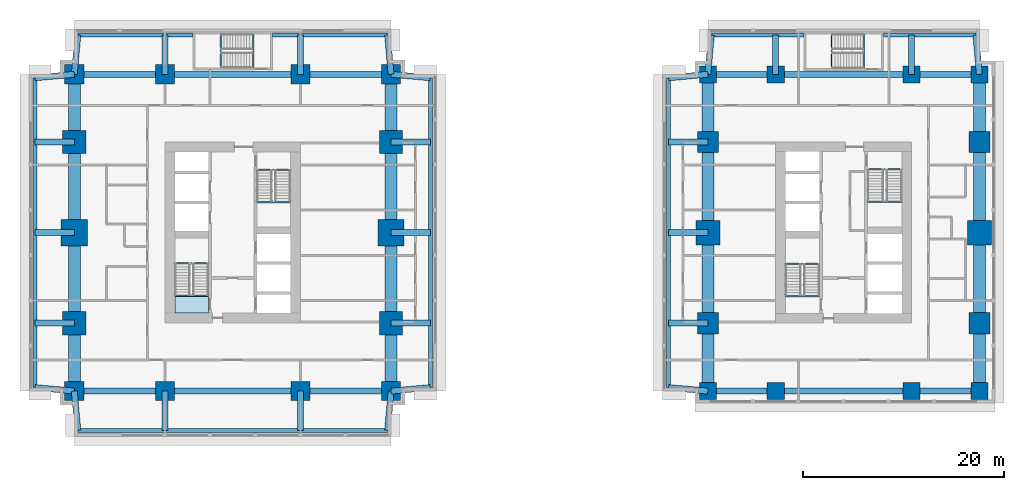
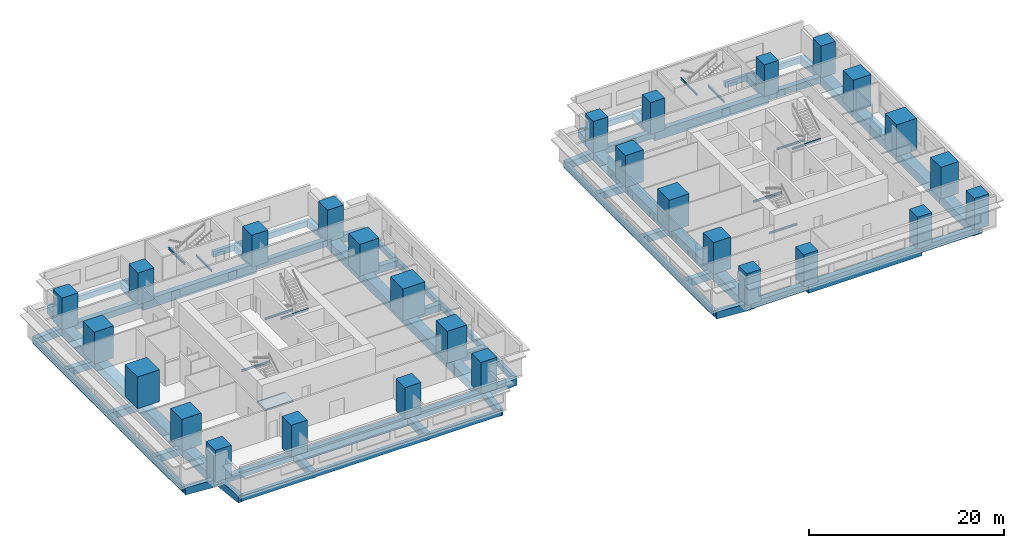
# One storey, part 1 of 11: 75 beams, 28 columns, 1 slab, 1 element without a shape of its own.
"""IFC4 building model written with IfcOpenShell, lengths in metres."""

from ifc_helpers import new_model, si_unit, direction, frame, origin, origin_2d, place, context, subcontext, project, spatial, polyline, rectangle, i_section, outline, extrude, material, layer, layer_set, material_profile, profile_set, type_object, element, aggregate, save


model = new_model("IFC4")

# Units and contexts
model_context = context("Model", 3, precision=1e-05, world=origin(), true_north=direction((0.0, 1.0)))
body_context = subcontext(model_context, "Body", "Model", "MODEL_VIEW")
ifc_project = project(units=[si_unit("LENGTHUNIT", "METRE"), si_unit("AREAUNIT", "SQUARE_METRE"), si_unit("VOLUMEUNIT", "CUBIC_METRE"), si_unit("PLANEANGLEUNIT", "RADIAN"), si_unit("MASSUNIT", "GRAM", prefix="KILO")], contexts=[model_context])

# Site, building, storey
site_placement = place(None, origin())
site = spatial("IfcSite", under=ifc_project, at=site_placement, CompositionType="ELEMENT")
building_placement = place(site_placement, origin())
building = spatial("IfcBuilding", under=site, at=building_placement, Name="Namib Vertical Campus", CompositionType="ELEMENT")
storey_placement = place(building_placement, frame((0.0, 0.0, 85.0)))
storey = spatial("IfcBuildingStorey", under=building, at=storey_placement, Name="L19", CompositionType="ELEMENT", Elevation=85.0)

# Columns
ifc_material_1 = material(Name="Concrete C60/75", Category="concrete")
ifc_material_profile_1 = material_profile(ifc_material_1, rectangle(XDim=1.699951171875, YDim=1.699951171875, at=origin_2d()))
ifc_profile_set_1 = profile_set([ifc_material_profile_1], Name="Concrete C60/75")
column_type_1 = type_object("IfcColumnType", Name="Column RC 1700x1700", PredefinedType="COLUMN", material=ifc_profile_set_1)
for number, where, z_axis, x_axis, name in (
    (1, (67.5, 4.5, 0.0), (0.0, 0.0, 1.0), (1.0, 0.0, 0.0), "Column C170 L19"),
    (2, (74.25, 4.5, 0.0), (0.0, 0.0, 1.0), (1.0, 0.0, 0.0), "Column C170 L19"),
    (3, (87.75, 4.5, 0.0), (0.0, 0.0, 1.0), (1.0, 0.0, 0.0), "Column C170 L19"),
    (4, (94.5, 4.5, 0.0), (0.0, 0.0, 1.0), (1.0, 0.0, 0.0), "Column C170 L19"),
    (5, (67.5, 36.0, 0.0), (0.0, 0.0, 1.0), (1.0, 0.0, 0.0), "Column C170 L19"),
    (6, (74.25, 36.0, 0.0), (0.0, 0.0, 1.0), (1.0, 0.0, 0.0), "Column C170 L19"),
    (7, (87.75, 36.0, 0.0), (0.0, 0.0, 1.0), (1.0, 0.0, 0.0), "Column C170 L19"),
    (8, (94.5, 36.0, 0.0), (0.0, 0.0, 1.0), (1.0, 0.0, 0.0), "Column C170 L19"),
):
    element("IfcColumn", number, at=place(storey_placement, frame(where, z_axis=z_axis, x_axis=x_axis)), inside=storey, type_object=column_type_1, Name=name, PredefinedType="COLUMN", context=body_context, shape_type="SweptSolid", body=[
        extrude(rectangle(XDim=1.699951171875, YDim=1.699951171875, at=origin_2d()), origin(), (0.0, 0.0, 1.0), 4.0),
    ])
ifc_material_2 = material(Name="Concrete C60/75", Category="concrete")
ifc_material_profile_2 = material_profile(ifc_material_2, rectangle(XDim=1.89990234375, YDim=1.89990234375, at=origin_2d()))
ifc_profile_set_2 = profile_set([ifc_material_profile_2], Name="Concrete C60/75")
column_type_2 = type_object("IfcColumnType", Name="Column RC 1900x1900", PredefinedType="COLUMN", material=ifc_profile_set_2)
for number, where, z_axis, x_axis, name in (
    (9, (4.5, 4.5, 0.0), (0.0, 0.0, 1.0), (1.0, 0.0, 0.0), "Column C190 L19"),
    (10, (13.5, 4.5, 0.0), (0.0, 0.0, 1.0), (1.0, 0.0, 0.0), "Column C190 L19"),
    (11, (27.0, 4.5, 0.0), (0.0, 0.0, 1.0), (1.0, 0.0, 0.0), "Column C190 L19"),
    (12, (36.0, 4.5, 0.0), (0.0, 0.0, 1.0), (1.0, 0.0, 0.0), "Column C190 L19"),
    (13, (4.5, 36.0, 0.0), (0.0, 0.0, 1.0), (1.0, 0.0, 0.0), "Column C190 L19"),
    (14, (13.5, 36.0, 0.0), (0.0, 0.0, 1.0), (1.0, 0.0, 0.0), "Column C190 L19"),
    (15, (27.0, 36.0, 0.0), (0.0, 0.0, 1.0), (1.0, 0.0, 0.0), "Column C190 L19"),
    (16, (36.0, 36.0, 0.0), (0.0, 0.0, 1.0), (1.0, 0.0, 0.0), "Column C190 L19"),
):
    element("IfcColumn", number, at=place(storey_placement, frame(where, z_axis=z_axis, x_axis=x_axis)), inside=storey, type_object=column_type_2, Name=name, PredefinedType="COLUMN", context=body_context, shape_type="SweptSolid", body=[
        extrude(rectangle(XDim=1.89990234375, YDim=1.89990234375, at=origin_2d()), origin(), (0.0, 0.0, 1.0), 4.0),
    ])
ifc_material_3 = material(Name="Concrete C60/75", Category="concrete")
ifc_material_profile_3 = material_profile(ifc_material_3, rectangle(XDim=2.10009765625, YDim=2.10009765625, at=origin_2d()))
ifc_profile_set_3 = profile_set([ifc_material_profile_3], Name="Concrete C60/75")
column_type_3 = type_object("IfcColumnType", Name="Column RC 2100x2100", PredefinedType="COLUMN", material=ifc_profile_set_3)
for number, where, z_axis, x_axis, name in (
    (17, (67.5, 11.25, 0.0), (0.0, 0.0, 1.0), (1.0, 0.0, 0.0), "Column C210 L19"),
    (18, (94.5, 11.25, 0.0), (0.0, 0.0, 1.0), (1.0, 0.0, 0.0), "Column C210 L19"),
    (19, (67.5, 29.25, 0.0), (0.0, 0.0, 1.0), (1.0, 0.0, 0.0), "Column C210 L19"),
    (20, (94.5, 29.25, 0.0), (0.0, 0.0, 1.0), (1.0, 0.0, 0.0), "Column C210 L19"),
):
    element("IfcColumn", number, at=place(storey_placement, frame(where, z_axis=z_axis, x_axis=x_axis)), inside=storey, type_object=column_type_3, Name=name, PredefinedType="COLUMN", context=body_context, shape_type="SweptSolid", body=[
        extrude(rectangle(XDim=2.10009765625, YDim=2.10009765625, at=origin_2d()), origin(), (0.0, 0.0, 1.0), 4.0),
    ])
ifc_material_4 = material(Name="Concrete C60/75", Category="concrete")
ifc_material_profile_4 = material_profile(ifc_material_4, rectangle(XDim=2.300048828125, YDim=2.300048828125, at=origin_2d()))
ifc_profile_set_4 = profile_set([ifc_material_profile_4], Name="Concrete C60/75")
column_type_4 = type_object("IfcColumnType", Name="Column RC 2300x2300", PredefinedType="COLUMN", material=ifc_profile_set_4)
for number, where, z_axis, x_axis, name in (
    (21, (4.5, 11.25, 0.0), (0.0, 0.0, 1.0), (1.0, 0.0, 0.0), "Column C230 L19"),
    (22, (36.0, 11.25, 0.0), (0.0, 0.0, 1.0), (1.0, 0.0, 0.0), "Column C230 L19"),
    (23, (4.5, 29.25, 0.0), (0.0, 0.0, 1.0), (1.0, 0.0, 0.0), "Column C230 L19"),
    (24, (36.0, 29.25, 0.0), (0.0, 0.0, 1.0), (1.0, 0.0, 0.0), "Column C230 L19"),
):
    element("IfcColumn", number, at=place(storey_placement, frame(where, z_axis=z_axis, x_axis=x_axis)), inside=storey, type_object=column_type_4, Name=name, PredefinedType="COLUMN", context=body_context, shape_type="SweptSolid", body=[
        extrude(rectangle(XDim=2.300048828125, YDim=2.300048828125, at=origin_2d()), origin(), (0.0, 0.0, 1.0), 4.0),
    ])
ifc_material_5 = material(Name="Concrete C60/75", Category="concrete")
ifc_material_profile_5 = material_profile(ifc_material_5, rectangle(XDim=2.39990234375, YDim=2.39990234375, at=origin_2d()))
ifc_profile_set_5 = profile_set([ifc_material_profile_5], Name="Concrete C60/75")
column_type_5 = type_object("IfcColumnType", Name="Column RC 2400x2400", PredefinedType="COLUMN", material=ifc_profile_set_5)
for number, where, z_axis, x_axis, name in (
    (25, (67.5, 20.25, 0.0), (0.0, 0.0, 1.0), (1.0, 0.0, 0.0), "Column C240 L19"),
    (26, (94.5, 20.25, 0.0), (0.0, 0.0, 1.0), (1.0, 0.0, 0.0), "Column C240 L19"),
):
    element("IfcColumn", number, at=place(storey_placement, frame(where, z_axis=z_axis, x_axis=x_axis)), inside=storey, type_object=column_type_5, Name=name, PredefinedType="COLUMN", context=body_context, shape_type="SweptSolid", body=[
        extrude(rectangle(XDim=2.39990234375, YDim=2.39990234375, at=origin_2d()), origin(), (0.0, 0.0, 1.0), 4.0),
    ])
ifc_material_6 = material(Name="Concrete C60/75", Category="concrete")
ifc_material_profile_6 = material_profile(ifc_material_6, rectangle(XDim=2.60009765625, YDim=2.60009765625, at=origin_2d()))
ifc_profile_set_6 = profile_set([ifc_material_profile_6], Name="Concrete C60/75")
column_type_6 = type_object("IfcColumnType", Name="Column RC 2600x2600", PredefinedType="COLUMN", material=ifc_profile_set_6)
for number, where, z_axis, x_axis, name in (
    (27, (4.5, 20.25, 0.0), (0.0, 0.0, 1.0), (1.0, 0.0, 0.0), "Column C260 L19"),
    (28, (36.0, 20.25, 0.0), (0.0, 0.0, 1.0), (1.0, 0.0, 0.0), "Column C260 L19"),
):
    element("IfcColumn", number, at=place(storey_placement, frame(where, z_axis=z_axis, x_axis=x_axis)), inside=storey, type_object=column_type_6, Name=name, PredefinedType="COLUMN", context=body_context, shape_type="SweptSolid", body=[
        extrude(rectangle(XDim=2.60009765625, YDim=2.60009765625, at=origin_2d()), origin(), (0.0, 0.0, 1.0), 4.0),
    ])

# Beams
ifc_material_7 = material(Name="Concrete C40/50", Category="concrete")
ifc_material_profile_7 = material_profile(ifc_material_7, rectangle(XDim=0.60009765625, YDim=0.89990234375, at=origin_2d()))
ifc_profile_set_7 = profile_set([ifc_material_profile_7], Name="Concrete C40/50")
beam_type_1 = type_object("IfcBeamType", Name="Cantilever girder RC 600x900", PredefinedType="BEAM", material=ifc_profile_set_7)
beam_1_placement = place(storey_placement, frame((4.5, 4.5, -0.699951171875), z_axis=(0.089411326146, -0.995994786511, 0.0), x_axis=(0.995994786511, 0.089411326146, 0.0)))
element("IfcBeam", 29, at=beam_1_placement, inside=storey, type_object=beam_type_1, Name="Beam B3 L19", PredefinedType="BEAM", context=body_context, shape_type="SweptSolid", body=[
    extrude(rectangle(XDim=0.60009765625, YDim=0.89990234375, at=origin_2d()), origin(), (0.0, 0.0, 1.0), 3.91552734375),
])
for number, where, z_axis, x_axis, name in (
    (30, (13.5, 4.5, -0.699951171875), (0.0, -1.0, 0.0), (1.0, 0.0, 0.0), "Beam B3 L19"),
    (31, (27.0, 4.5, -0.699951171875), (0.0, -1.0, 0.0), (1.0, 0.0, 0.0), "Beam B3 L19"),
):
    element("IfcBeam", number, at=place(storey_placement, frame(where, z_axis=z_axis, x_axis=x_axis)), inside=storey, type_object=beam_type_1, Name=name, PredefinedType="BEAM", context=body_context, shape_type="SweptSolid", body=[
        extrude(rectangle(XDim=0.60009765625, YDim=0.89990234375, at=origin_2d()), origin(), (0.0, 0.0, 1.0), 3.89990234375),
    ])
for number, where, z_axis, x_axis, name in (
    (32, (36.0, 4.5, -0.699951171875), (-0.089411326146, -0.995994786511, 0.0), (0.995994786511, -0.089411326146, 0.0), "Beam B3 L19"),
    (33, (4.5, 36.0, -0.699951171875), (0.089411326146, 0.995994786511, 0.0), (-0.995994786511, 0.089411326146, 0.0), "Beam B3 L19"),
):
    element("IfcBeam", number, at=place(storey_placement, frame(where, z_axis=z_axis, x_axis=x_axis)), inside=storey, type_object=beam_type_1, Name=name, PredefinedType="BEAM", context=body_context, shape_type="SweptSolid", body=[
        extrude(rectangle(XDim=0.60009765625, YDim=0.89990234375, at=origin_2d()), origin(), (0.0, 0.0, 1.0), 3.91552734375),
    ])
for number, where, z_axis, x_axis, name in (
    (34, (13.5, 36.0, -0.699951171875), (0.0, 1.0, 0.0), (-1.0, 0.0, 0.0), "Beam B3 L19"),
    (35, (27.0, 36.0, -0.699951171875), (0.0, 1.0, 0.0), (-1.0, 0.0, 0.0), "Beam B3 L19"),
):
    element("IfcBeam", number, at=place(storey_placement, frame(where, z_axis=z_axis, x_axis=x_axis)), inside=storey, type_object=beam_type_1, Name=name, PredefinedType="BEAM", context=body_context, shape_type="SweptSolid", body=[
        extrude(rectangle(XDim=0.60009765625, YDim=0.89990234375, at=origin_2d()), origin(), (0.0, 0.0, 1.0), 3.89990234375),
    ])
for number, where, z_axis, x_axis, name in (
    (36, (36.0, 36.0, -0.699951171875), (-0.089411326146, 0.995994786511, 0.0), (-0.995994786511, -0.089411326146, 0.0), "Beam B3 L19"),
    (37, (4.5, 4.5, -0.699951171875), (-0.995994786511, 0.089411326146, 0.0), (-0.089411326146, -0.995994786511, 0.0), "Beam B3 L19"),
):
    element("IfcBeam", number, at=place(storey_placement, frame(where, z_axis=z_axis, x_axis=x_axis)), inside=storey, type_object=beam_type_1, Name=name, PredefinedType="BEAM", context=body_context, shape_type="SweptSolid", body=[
        extrude(rectangle(XDim=0.60009765625, YDim=0.89990234375, at=origin_2d()), origin(), (0.0, 0.0, 1.0), 3.91552734375),
    ])
for number, where, z_axis, x_axis, name in (
    (38, (4.5, 11.25, -0.699951171875), (-1.0, 0.0, 0.0), (0.0, -1.0, 0.0), "Beam B3 L19"),
    (39, (4.5, 20.25, -0.699951171875), (-1.0, 0.0, 0.0), (0.0, -1.0, 0.0), "Beam B3 L19"),
    (40, (4.5, 29.25, -0.699951171875), (-1.0, 0.0, 0.0), (0.0, -1.0, 0.0), "Beam B3 L19"),
):
    element("IfcBeam", number, at=place(storey_placement, frame(where, z_axis=z_axis, x_axis=x_axis)), inside=storey, type_object=beam_type_1, Name=name, PredefinedType="BEAM", context=body_context, shape_type="SweptSolid", body=[
        extrude(rectangle(XDim=0.60009765625, YDim=0.89990234375, at=origin_2d()), origin(), (0.0, 0.0, 1.0), 3.89990234375),
    ])
for number, where, z_axis, x_axis, name in (
    (41, (4.5, 36.0, -0.699951171875), (-0.995994786511, -0.089411326146, 0.0), (0.089411326146, -0.995994786511, 0.0), "Beam B3 L19"),
    (42, (36.0, 4.5, -0.699951171875), (0.995994786511, 0.089411326146, 0.0), (-0.089411326146, 0.995994786511, 0.0), "Beam B3 L19"),
):
    element("IfcBeam", number, at=place(storey_placement, frame(where, z_axis=z_axis, x_axis=x_axis)), inside=storey, type_object=beam_type_1, Name=name, PredefinedType="BEAM", context=body_context, shape_type="SweptSolid", body=[
        extrude(rectangle(XDim=0.60009765625, YDim=0.89990234375, at=origin_2d()), origin(), (0.0, 0.0, 1.0), 3.91552734375),
    ])
for number, where, z_axis, x_axis, name in (
    (43, (36.0, 11.25, -0.699951171875), (1.0, 0.0, 0.0), (0.0, 1.0, 0.0), "Beam B3 L19"),
    (44, (36.0, 20.25, -0.699951171875), (1.0, 0.0, 0.0), (0.0, 1.0, 0.0), "Beam B3 L19"),
    (45, (36.0, 29.25, -0.699951171875), (1.0, 0.0, 0.0), (0.0, 1.0, 0.0), "Beam B3 L19"),
):
    element("IfcBeam", number, at=place(storey_placement, frame(where, z_axis=z_axis, x_axis=x_axis)), inside=storey, type_object=beam_type_1, Name=name, PredefinedType="BEAM", context=body_context, shape_type="SweptSolid", body=[
        extrude(rectangle(XDim=0.60009765625, YDim=0.89990234375, at=origin_2d()), origin(), (0.0, 0.0, 1.0), 3.89990234375),
    ])
for number, where, z_axis, x_axis, name in (
    (46, (36.0, 36.0, -0.699951171875), (0.995994786511, -0.089411326146, 0.0), (0.089411326146, 0.995994786511, 0.0), "Beam B3 L19"),
    (47, (67.5, 36.0, -0.699951171875), (0.089411326146, 0.995994786511, 0.0), (-0.995994786511, 0.089411326146, 0.0), "Beam B3 L19"),
):
    element("IfcBeam", number, at=place(storey_placement, frame(where, z_axis=z_axis, x_axis=x_axis)), inside=storey, type_object=beam_type_1, Name=name, PredefinedType="BEAM", context=body_context, shape_type="SweptSolid", body=[
        extrude(rectangle(XDim=0.60009765625, YDim=0.89990234375, at=origin_2d()), origin(), (0.0, 0.0, 1.0), 3.91552734375),
    ])
for number, where, z_axis, x_axis, name in (
    (48, (74.25, 36.0, -0.699951171875), (0.0, 1.0, 0.0), (-1.0, 0.0, 0.0), "Beam B3 L19"),
    (49, (87.75, 36.0, -0.699951171875), (0.0, 1.0, 0.0), (-1.0, 0.0, 0.0), "Beam B3 L19"),
):
    element("IfcBeam", number, at=place(storey_placement, frame(where, z_axis=z_axis, x_axis=x_axis)), inside=storey, type_object=beam_type_1, Name=name, PredefinedType="BEAM", context=body_context, shape_type="SweptSolid", body=[
        extrude(rectangle(XDim=0.60009765625, YDim=0.89990234375, at=origin_2d()), origin(), (0.0, 0.0, 1.0), 3.89990234375),
    ])
for number, where, z_axis, x_axis, name in (
    (50, (94.5, 36.0, -0.699951171875), (-0.089411326146, 0.995994786511, 0.0), (-0.995994786511, -0.089411326146, 0.0), "Beam B3 L19"),
    (51, (67.5, 4.5, -0.699951171875), (-0.995994786511, 0.089411326146, 0.0), (-0.089411326146, -0.995994786511, 0.0), "Beam B3 L19"),
):
    element("IfcBeam", number, at=place(storey_placement, frame(where, z_axis=z_axis, x_axis=x_axis)), inside=storey, type_object=beam_type_1, Name=name, PredefinedType="BEAM", context=body_context, shape_type="SweptSolid", body=[
        extrude(rectangle(XDim=0.60009765625, YDim=0.89990234375, at=origin_2d()), origin(), (0.0, 0.0, 1.0), 3.91552734375),
    ])
for number, where, z_axis, x_axis, name in (
    (52, (67.5, 11.25, -0.699951171875), (-1.0, 0.0, 0.0), (0.0, -1.0, 0.0), "Beam B3 L19"),
    (53, (67.5, 20.25, -0.699951171875), (-1.0, 0.0, 0.0), (0.0, -1.0, 0.0), "Beam B3 L19"),
    (54, (67.5, 29.25, -0.699951171875), (-1.0, 0.0, 0.0), (0.0, -1.0, 0.0), "Beam B3 L19"),
):
    element("IfcBeam", number, at=place(storey_placement, frame(where, z_axis=z_axis, x_axis=x_axis)), inside=storey, type_object=beam_type_1, Name=name, PredefinedType="BEAM", context=body_context, shape_type="SweptSolid", body=[
        extrude(rectangle(XDim=0.60009765625, YDim=0.89990234375, at=origin_2d()), origin(), (0.0, 0.0, 1.0), 3.89990234375),
    ])
beam_2_placement = place(storey_placement, frame((67.5, 36.0, -0.699951171875), z_axis=(-0.995994786511, -0.089411326146, 0.0), x_axis=(0.089411326146, -0.995994786511, 0.0)))
element("IfcBeam", 55, at=beam_2_placement, inside=storey, type_object=beam_type_1, Name="Beam B3 L19", PredefinedType="BEAM", context=body_context, shape_type="SweptSolid", body=[
    extrude(rectangle(XDim=0.60009765625, YDim=0.89990234375, at=origin_2d()), origin(), (0.0, 0.0, 1.0), 3.91552734375),
])
ifc_material_8 = material(Name="Concrete C40/50", Category="concrete")
ifc_material_profile_8 = material_profile(ifc_material_8, rectangle(XDim=0.39990234375, YDim=0.699951171875, at=origin_2d()))
ifc_profile_set_8 = profile_set([ifc_material_profile_8], Name="Concrete C40/50")
beam_type_2 = type_object("IfcBeamType", Name="Edge beam RC 400x700", PredefinedType="SPANDREL", material=ifc_profile_set_8)
beam_3_placement = place(storey_placement, frame((4.85009765625, 0.60009765625, -0.60009765625), z_axis=(1.0, 0.0, 0.0), x_axis=(0.0, 1.0, 0.0)))
element("IfcBeam", 56, at=beam_3_placement, inside=storey, type_object=beam_type_2, Name="Beam B4 L19", PredefinedType="SPANDREL", context=body_context, shape_type="SweptSolid", body=[
    extrude(rectangle(XDim=0.39990234375, YDim=0.699951171875, at=origin_2d()), origin(), (0.0, 0.0, 1.0), 30.7998046875),
])
for number, where, z_axis, x_axis, name in (
    (57, (4.85009765625, 39.89990234375, -0.60009765625), (1.0, 0.0, 0.0), (0.0, 1.0, 0.0), "Beam B4 L19"),
    (58, (24.199951171875, 39.89990234375, -0.60009765625), (1.0, 0.0, 0.0), (0.0, 1.0, 0.0), "Beam B4 L19"),
):
    element("IfcBeam", number, at=place(storey_placement, frame(where, z_axis=z_axis, x_axis=x_axis)), inside=storey, type_object=beam_type_2, Name=name, PredefinedType="SPANDREL", context=body_context, shape_type="SweptSolid", body=[
        extrude(rectangle(XDim=0.39990234375, YDim=0.699951171875, at=origin_2d()), origin(), (0.0, 0.0, 1.0), 11.449951171875),
    ])
for number, where, z_axis, x_axis, name in (
    (59, (0.60009765625, 4.85009765625, -0.60009765625), (0.0, 1.0, 0.0), (-1.0, 0.0, 0.0), "Beam B4 L19"),
    (60, (39.89990234375, 4.85009765625, -0.60009765625), (0.0, 1.0, 0.0), (-1.0, 0.0, 0.0), "Beam B4 L19"),
):
    element("IfcBeam", number, at=place(storey_placement, frame(where, z_axis=z_axis, x_axis=x_axis)), inside=storey, type_object=beam_type_2, Name=name, PredefinedType="SPANDREL", context=body_context, shape_type="SweptSolid", body=[
        extrude(rectangle(XDim=0.39990234375, YDim=0.699951171875, at=origin_2d()), origin(), (0.0, 0.0, 1.0), 30.7998046875),
    ])
for number, where, z_axis, x_axis, name in (
    (61, (67.85009765625, 39.89990234375, -0.60009765625), (1.0, 0.0, 0.0), (0.0, 1.0, 0.0), "Beam B4 L19"),
    (62, (84.949951171875, 39.89990234375, -0.60009765625), (1.0, 0.0, 0.0), (0.0, 1.0, 0.0), "Beam B4 L19"),
):
    element("IfcBeam", number, at=place(storey_placement, frame(where, z_axis=z_axis, x_axis=x_axis)), inside=storey, type_object=beam_type_2, Name=name, PredefinedType="SPANDREL", context=body_context, shape_type="SweptSolid", body=[
        extrude(rectangle(XDim=0.39990234375, YDim=0.699951171875, at=origin_2d()), origin(), (0.0, 0.0, 1.0), 9.199951171875),
    ])
beam_4_placement = place(storey_placement, frame((63.60009765625, 4.85009765625, -0.60009765625), z_axis=(0.0, 1.0, 0.0), x_axis=(-1.0, 0.0, 0.0)))
element("IfcBeam", 63, at=beam_4_placement, inside=storey, type_object=beam_type_2, Name="Beam B4 L19", PredefinedType="SPANDREL", context=body_context, shape_type="SweptSolid", body=[
    extrude(rectangle(XDim=0.39990234375, YDim=0.699951171875, at=origin_2d()), origin(), (0.0, 0.0, 1.0), 30.7998046875),
])
ifc_material_9 = material(Name="Concrete C40/50", Category="concrete")
ifc_material_profile_9 = material_profile(ifc_material_9, rectangle(XDim=1.199951171875, YDim=1.10009765625, at=origin_2d()))
ifc_profile_set_9 = profile_set([ifc_material_profile_9], Name="Concrete C40/50")
beam_type_3 = type_object("IfcBeamType", Name="Face ring beam RC 1200x1100", PredefinedType="BEAM", material=ifc_profile_set_9)
beam_5_placement = place(storey_placement, frame((4.5, 4.5, -0.800048828125), z_axis=(0.0, 1.0, 0.0), x_axis=(-1.0, 0.0, 0.0)))
element("IfcBeam", 64, at=beam_5_placement, inside=storey, type_object=beam_type_3, Name="Beam B11 L19", PredefinedType="BEAM", context=body_context, shape_type="SweptSolid", body=[
    extrude(rectangle(XDim=1.199951171875, YDim=1.10009765625, at=origin_2d()), origin(), (0.0, 0.0, 1.0), 6.75),
])
for number, where, z_axis, x_axis, name in (
    (65, (4.5, 11.25, -0.800048828125), (0.0, 1.0, 0.0), (-1.0, 0.0, 0.0), "Beam B11 L19"),
    (66, (4.5, 20.25, -0.800048828125), (0.0, 1.0, 0.0), (-1.0, 0.0, 0.0), "Beam B11 L19"),
):
    element("IfcBeam", number, at=place(storey_placement, frame(where, z_axis=z_axis, x_axis=x_axis)), inside=storey, type_object=beam_type_3, Name=name, PredefinedType="BEAM", context=body_context, shape_type="SweptSolid", body=[
        extrude(rectangle(XDim=1.199951171875, YDim=1.10009765625, at=origin_2d()), origin(), (0.0, 0.0, 1.0), 9.0),
    ])
for number, where, z_axis, x_axis, name in (
    (67, (4.5, 29.25, -0.800048828125), (0.0, 1.0, 0.0), (-1.0, 0.0, 0.0), "Beam B11 L19"),
    (68, (36.0, 4.5, -0.800048828125), (0.0, 1.0, 0.0), (-1.0, 0.0, 0.0), "Beam B11 L19"),
):
    element("IfcBeam", number, at=place(storey_placement, frame(where, z_axis=z_axis, x_axis=x_axis)), inside=storey, type_object=beam_type_3, Name=name, PredefinedType="BEAM", context=body_context, shape_type="SweptSolid", body=[
        extrude(rectangle(XDim=1.199951171875, YDim=1.10009765625, at=origin_2d()), origin(), (0.0, 0.0, 1.0), 6.75),
    ])
for number, where, z_axis, x_axis, name in (
    (69, (36.0, 11.25, -0.800048828125), (0.0, 1.0, 0.0), (-1.0, 0.0, 0.0), "Beam B11 L19"),
    (70, (36.0, 20.25, -0.800048828125), (0.0, 1.0, 0.0), (-1.0, 0.0, 0.0), "Beam B11 L19"),
):
    element("IfcBeam", number, at=place(storey_placement, frame(where, z_axis=z_axis, x_axis=x_axis)), inside=storey, type_object=beam_type_3, Name=name, PredefinedType="BEAM", context=body_context, shape_type="SweptSolid", body=[
        extrude(rectangle(XDim=1.199951171875, YDim=1.10009765625, at=origin_2d()), origin(), (0.0, 0.0, 1.0), 9.0),
    ])
for number, where, z_axis, x_axis, name in (
    (71, (36.0, 29.25, -0.800048828125), (0.0, 1.0, 0.0), (-1.0, 0.0, 0.0), "Beam B11 L19"),
    (72, (67.5, 4.5, -0.800048828125), (0.0, 1.0, 0.0), (-1.0, 0.0, 0.0), "Beam B11 L19"),
):
    element("IfcBeam", number, at=place(storey_placement, frame(where, z_axis=z_axis, x_axis=x_axis)), inside=storey, type_object=beam_type_3, Name=name, PredefinedType="BEAM", context=body_context, shape_type="SweptSolid", body=[
        extrude(rectangle(XDim=1.199951171875, YDim=1.10009765625, at=origin_2d()), origin(), (0.0, 0.0, 1.0), 6.75),
    ])
for number, where, z_axis, x_axis, name in (
    (73, (67.5, 11.25, -0.800048828125), (0.0, 1.0, 0.0), (-1.0, 0.0, 0.0), "Beam B11 L19"),
    (74, (67.5, 20.25, -0.800048828125), (0.0, 1.0, 0.0), (-1.0, 0.0, 0.0), "Beam B11 L19"),
):
    element("IfcBeam", number, at=place(storey_placement, frame(where, z_axis=z_axis, x_axis=x_axis)), inside=storey, type_object=beam_type_3, Name=name, PredefinedType="BEAM", context=body_context, shape_type="SweptSolid", body=[
        extrude(rectangle(XDim=1.199951171875, YDim=1.10009765625, at=origin_2d()), origin(), (0.0, 0.0, 1.0), 9.0),
    ])
for number, where, z_axis, x_axis, name in (
    (75, (67.5, 29.25, -0.800048828125), (0.0, 1.0, 0.0), (-1.0, 0.0, 0.0), "Beam B11 L19"),
    (76, (94.5, 4.5, -0.800048828125), (0.0, 1.0, 0.0), (-1.0, 0.0, 0.0), "Beam B11 L19"),
):
    element("IfcBeam", number, at=place(storey_placement, frame(where, z_axis=z_axis, x_axis=x_axis)), inside=storey, type_object=beam_type_3, Name=name, PredefinedType="BEAM", context=body_context, shape_type="SweptSolid", body=[
        extrude(rectangle(XDim=1.199951171875, YDim=1.10009765625, at=origin_2d()), origin(), (0.0, 0.0, 1.0), 6.75),
    ])
for number, where, z_axis, x_axis, name in (
    (77, (94.5, 11.25, -0.800048828125), (0.0, 1.0, 0.0), (-1.0, 0.0, 0.0), "Beam B11 L19"),
    (78, (94.5, 20.25, -0.800048828125), (0.0, 1.0, 0.0), (-1.0, 0.0, 0.0), "Beam B11 L19"),
):
    element("IfcBeam", number, at=place(storey_placement, frame(where, z_axis=z_axis, x_axis=x_axis)), inside=storey, type_object=beam_type_3, Name=name, PredefinedType="BEAM", context=body_context, shape_type="SweptSolid", body=[
        extrude(rectangle(XDim=1.199951171875, YDim=1.10009765625, at=origin_2d()), origin(), (0.0, 0.0, 1.0), 9.0),
    ])
beam_6_placement = place(storey_placement, frame((94.5, 29.25, -0.800048828125), z_axis=(0.0, 1.0, 0.0), x_axis=(-1.0, 0.0, 0.0)))
element("IfcBeam", 79, at=beam_6_placement, inside=storey, type_object=beam_type_3, Name="Beam B11 L19", PredefinedType="BEAM", context=body_context, shape_type="SweptSolid", body=[
    extrude(rectangle(XDim=1.199951171875, YDim=1.10009765625, at=origin_2d()), origin(), (0.0, 0.0, 1.0), 6.75),
])
ifc_material_10 = material(Name="Steel S355JR", Category="steel")
ifc_material_profile_10 = material_profile(ifc_material_10, i_section(OverallWidth=0.14599609375, OverallDepth=0.25146484375, WebThickness=0.006103515625, FlangeThickness=0.008544921875, FilletRadius=0.007568359375, at=origin_2d()))
ifc_profile_set_10 = profile_set([ifc_material_profile_10], Name="Steel S355JR")
beam_type_4 = type_object("IfcBeamType", Name="Landing trimmer UB 254x146x31", PredefinedType="BEAM", material=ifc_profile_set_10)
for number, where, z_axis, x_axis, name in (
    (80, (14.5, 13.97705078125, -0.125732421875), (1.0, 0.0, 0.0), (0.0, 1.0, 0.0), "Landing trimmer LT1 A-S1 L19 1"),
    (81, (14.5, 17.203125, 1.874267578125), (1.0, 0.0, 0.0), (0.0, 1.0, 0.0), "Landing trimmer LT1 A-S1 L19 2"),
    (82, (22.64990234375, 26.52294921875, -0.125732421875), (1.0, 0.0, 0.0), (0.0, 1.0, 0.0), "Landing trimmer LT1 A-S2 L19 1"),
    (83, (22.64990234375, 23.296875, 1.874267578125), (1.0, 0.0, 0.0), (0.0, 1.0, 0.0), "Landing trimmer LT1 A-S2 L19 2"),
):
    element("IfcBeam", number, at=place(storey_placement, frame(where, z_axis=z_axis, x_axis=x_axis)), inside=storey, type_object=beam_type_4, Name=name, PredefinedType="BEAM", context=body_context, shape_type="SweptSolid", body=[
        extrude(i_section(OverallWidth=0.14599609375, OverallDepth=0.25146484375, WebThickness=0.006103515625, FlangeThickness=0.008544921875, FilletRadius=0.007568359375, at=origin_2d()), origin(), (0.0, 0.0, 1.0), 3.35009765625),
    ])
for number, where, z_axis, x_axis, name in (
    (84, (75.199951171875, 13.927001953125, -0.125732421875), (1.0, 0.0, 0.0), (0.0, 1.0, 0.0), "Landing trimmer LT1 B-S1 L19 1"),
    (85, (75.199951171875, 17.153076171875, 1.874267578125), (1.0, 0.0, 0.0), (0.0, 1.0, 0.0), "Landing trimmer LT1 B-S1 L19 2"),
    (86, (83.39990234375, 26.572998046875, -0.125732421875), (1.0, 0.0, 0.0), (0.0, 1.0, 0.0), "Landing trimmer LT1 B-S2 L19 1"),
    (87, (83.39990234375, 23.346923828125, 1.874267578125), (1.0, 0.0, 0.0), (0.0, 1.0, 0.0), "Landing trimmer LT1 B-S2 L19 2"),
):
    element("IfcBeam", number, at=place(storey_placement, frame(where, z_axis=z_axis, x_axis=x_axis)), inside=storey, type_object=beam_type_4, Name=name, PredefinedType="BEAM", context=body_context, shape_type="SweptSolid", body=[
        extrude(i_section(OverallWidth=0.14599609375, OverallDepth=0.25146484375, WebThickness=0.006103515625, FlangeThickness=0.008544921875, FilletRadius=0.007568359375, at=origin_2d()), origin(), (0.0, 0.0, 1.0), 3.400146484375),
    ])
for number, where, z_axis, x_axis, name in (
    (88, (22.27294921875, 36.64990234375, -0.125732421875), (0.0, 1.0, 0.0), (-1.0, 0.0, 0.0), "Landing trimmer LT1 A-S3 L19 1"),
    (89, (19.046875, 36.64990234375, 1.874267578125), (0.0, 1.0, 0.0), (-1.0, 0.0, 0.0), "Landing trimmer LT1 A-S3 L19 2"),
):
    element("IfcBeam", number, at=place(storey_placement, frame(where, z_axis=z_axis, x_axis=x_axis)), inside=storey, type_object=beam_type_4, Name=name, PredefinedType="BEAM", context=body_context, shape_type="SweptSolid", body=[
        extrude(i_section(OverallWidth=0.14599609375, OverallDepth=0.25146484375, WebThickness=0.006103515625, FlangeThickness=0.008544921875, FilletRadius=0.007568359375, at=origin_2d()), origin(), (0.0, 0.0, 1.0), 3.35009765625),
    ])
for number, where, z_axis, x_axis, name in (
    (90, (83.02294921875, 36.60009765625, -0.125732421875), (0.0, 1.0, 0.0), (-1.0, 0.0, 0.0), "Landing trimmer LT1 B-S3 L19 1"),
    (91, (79.796875, 36.60009765625, 1.874267578125), (0.0, 1.0, 0.0), (-1.0, 0.0, 0.0), "Landing trimmer LT1 B-S3 L19 2"),
):
    element("IfcBeam", number, at=place(storey_placement, frame(where, z_axis=z_axis, x_axis=x_axis)), inside=storey, type_object=beam_type_4, Name=name, PredefinedType="BEAM", context=body_context, shape_type="SweptSolid", body=[
        extrude(i_section(OverallWidth=0.14599609375, OverallDepth=0.25146484375, WebThickness=0.006103515625, FlangeThickness=0.008544921875, FilletRadius=0.007568359375, at=origin_2d()), origin(), (0.0, 0.0, 1.0), 3.39990234375),
    ])
ifc_material_11 = material(Name="Concrete C40/50", Category="concrete")
ifc_material_profile_11 = material_profile(ifc_material_11, rectangle(XDim=0.60009765625, YDim=1.199951171875, at=origin_2d()))
ifc_profile_set_11 = profile_set([ifc_material_profile_11], Name="Concrete C40/50")
beam_type_5 = type_object("IfcBeamType", Name="Long-span ring beam RC 600x1200", PredefinedType="BEAM", material=ifc_profile_set_11)
for number, where, z_axis, x_axis, name in (
    (92, (13.5, 4.5, -0.85009765625), (1.0, 0.0, 0.0), (0.0, 1.0, 0.0), "Beam B9 L19"),
    (93, (13.5, 36.0, -0.85009765625), (1.0, 0.0, 0.0), (0.0, 1.0, 0.0), "Beam B9 L19"),
    (94, (74.25, 4.5, -0.85009765625), (1.0, 0.0, 0.0), (0.0, 1.0, 0.0), "Beam B9 L19"),
    (95, (74.25, 36.0, -0.85009765625), (1.0, 0.0, 0.0), (0.0, 1.0, 0.0), "Beam B9 L19"),
):
    element("IfcBeam", number, at=place(storey_placement, frame(where, z_axis=z_axis, x_axis=x_axis)), inside=storey, type_object=beam_type_5, Name=name, PredefinedType="BEAM", context=body_context, shape_type="SweptSolid", body=[
        extrude(rectangle(XDim=0.60009765625, YDim=1.199951171875, at=origin_2d()), origin(), (0.0, 0.0, 1.0), 13.5),
    ])
ifc_material_12 = material(Name="Concrete C40/50", Category="concrete")
ifc_material_profile_12 = material_profile(ifc_material_12, rectangle(XDim=0.60009765625, YDim=0.800048828125, at=origin_2d()))
ifc_profile_set_12 = profile_set([ifc_material_profile_12], Name="Concrete C40/50")
beam_type_6 = type_object("IfcBeamType", Name="Ring beam RC 600x800", PredefinedType="BEAM", material=ifc_profile_set_12)
for number, where, z_axis, x_axis, name in (
    (96, (4.5, 4.5, -0.64990234375), (1.0, 0.0, 0.0), (0.0, 1.0, 0.0), "Beam B1 L19"),
    (97, (27.0, 4.5, -0.64990234375), (1.0, 0.0, 0.0), (0.0, 1.0, 0.0), "Beam B1 L19"),
    (98, (4.5, 36.0, -0.64990234375), (1.0, 0.0, 0.0), (0.0, 1.0, 0.0), "Beam B1 L19"),
    (99, (27.0, 36.0, -0.64990234375), (1.0, 0.0, 0.0), (0.0, 1.0, 0.0), "Beam B1 L19"),
):
    element("IfcBeam", number, at=place(storey_placement, frame(where, z_axis=z_axis, x_axis=x_axis)), inside=storey, type_object=beam_type_6, Name=name, PredefinedType="BEAM", context=body_context, shape_type="SweptSolid", body=[
        extrude(rectangle(XDim=0.60009765625, YDim=0.800048828125, at=origin_2d()), origin(), (0.0, 0.0, 1.0), 9.0),
    ])
for number, where, z_axis, x_axis, name in (
    (100, (67.5, 4.5, -0.64990234375), (1.0, 0.0, 0.0), (0.0, 1.0, 0.0), "Beam B1 L19"),
    (101, (87.75, 4.5, -0.64990234375), (1.0, 0.0, 0.0), (0.0, 1.0, 0.0), "Beam B1 L19"),
    (102, (67.5, 36.0, -0.64990234375), (1.0, 0.0, 0.0), (0.0, 1.0, 0.0), "Beam B1 L19"),
    (103, (87.75, 36.0, -0.64990234375), (1.0, 0.0, 0.0), (0.0, 1.0, 0.0), "Beam B1 L19"),
):
    element("IfcBeam", number, at=place(storey_placement, frame(where, z_axis=z_axis, x_axis=x_axis)), inside=storey, type_object=beam_type_6, Name=name, PredefinedType="BEAM", context=body_context, shape_type="SweptSolid", body=[
        extrude(rectangle(XDim=0.60009765625, YDim=0.800048828125, at=origin_2d()), origin(), (0.0, 0.0, 1.0), 6.75),
    ])

# Stair, slab
ifc_material_13 = material(Name="Concrete C40/50 precast", Category="concrete")
stair_type = type_object("IfcStairType", Name="Exit stair 4000 rise 24 risers 3350 wide", PredefinedType="HALF_TURN_STAIR", material=ifc_material_13)
stair_placement = place(storey_placement, origin())
stair = element("IfcStair", 104, at=stair_placement, inside=storey, type_object=stair_type, Name="Exit stair A-S1 L19", PredefinedType="HALF_TURN_STAIR")
ifc_material_14 = material(Name="Concrete C40/50", Category="concrete")
ifc_layer = layer(ifc_material_14, 0.199951171875)
ifc_layer_set = layer_set([ifc_layer], Name="Concrete C40/50")
slab_type = type_object("IfcSlabType", Name="Stair landing 200", PredefinedType="LANDING", material=ifc_layer_set)
slab_placement = place(storey_placement, frame((0.0, 0.0, -0.199951171875)))
slab = element("IfcSlab", 105, at=slab_placement, type_object=slab_type, Name="A-S1 landing 1", PredefinedType="LANDING", context=body_context, shape_type="SweptSolid", body=[
    extrude(outline(polyline([(14.5, 12.25), (17.85009765625, 12.25), (17.85009765625, 13.90380859375), (14.5, 13.90380859375), (14.5, 12.25)])), origin(), (0.0, 0.0, 1.0), 0.199951171875),
])
aggregate(stair, [slab])

save(model, "model.ifc")
